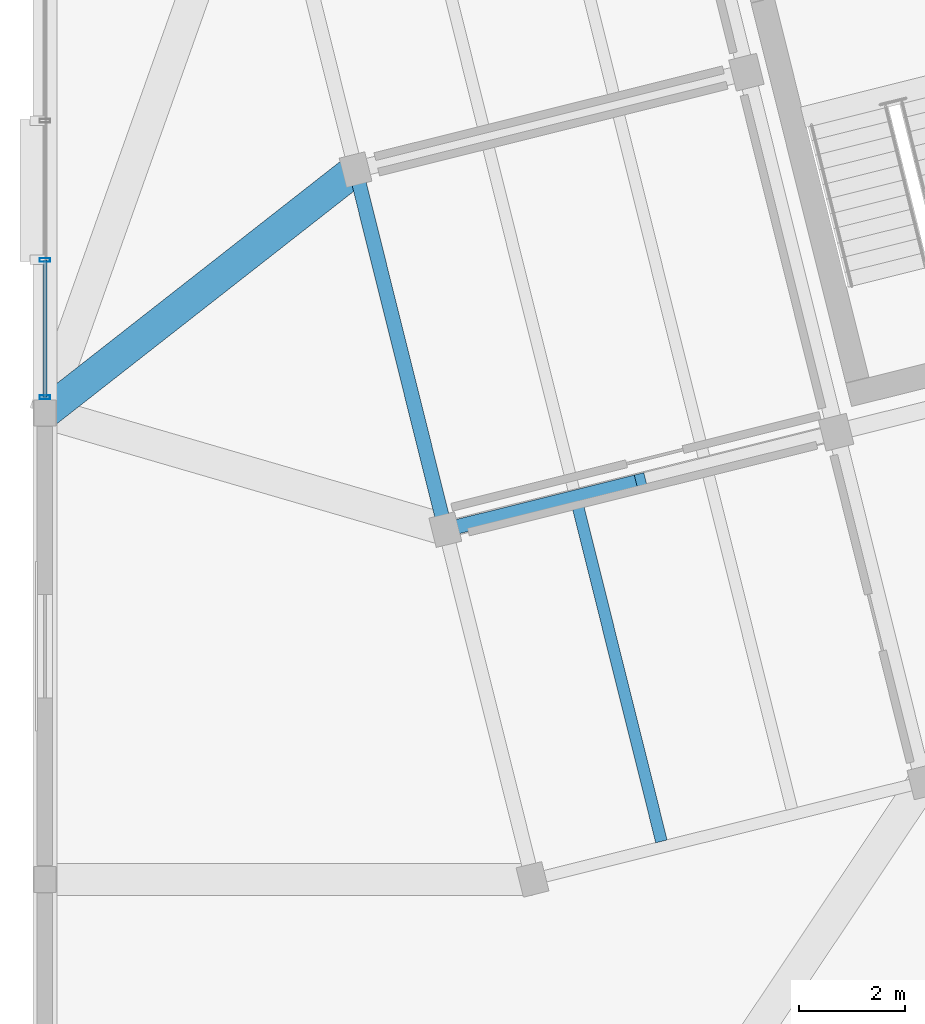
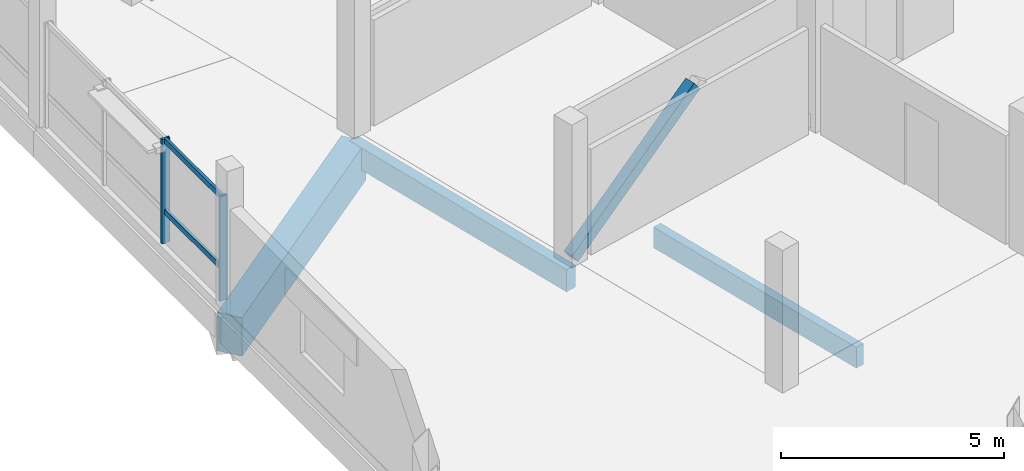
# One storey, part 18 of 62: 5 members, 3 beams, 1 element without a shape of its own.
"""IFC4 building model written with IfcOpenShell, lengths in metres."""

from ifc_helpers import new_model, si_unit, direction, frame, origin, origin_2d, place, context, subcontext, project, spatial, rectangle, hollow_rectangle, extrude, material, layer, layer_set, material_profile, profile_set, type_object, element, aggregate, save


model = new_model("IFC4")

# Units and contexts
model_context = context("Model", 3, precision=1e-05, world=origin(), true_north=direction((0.0, 1.0)))
body_context = subcontext(model_context, "Body", "Model", "MODEL_VIEW")
ifc_project = project(units=[si_unit("LENGTHUNIT", "METRE"), si_unit("AREAUNIT", "SQUARE_METRE"), si_unit("VOLUMEUNIT", "CUBIC_METRE"), si_unit("PLANEANGLEUNIT", "RADIAN"), si_unit("MASSUNIT", "GRAM", prefix="KILO")], contexts=[model_context])

# Site, building, storey
site_placement = place(None, origin())
site = spatial("IfcSite", under=ifc_project, at=site_placement, CompositionType="ELEMENT")
building_placement = place(site_placement, origin())
building = spatial("IfcBuilding", under=site, at=building_placement, Name="Meriwether Solvik Hall", CompositionType="ELEMENT")
storey_placement = place(building_placement, frame((0.0, 0.0, 14.39990234375)))
storey = spatial("IfcBuildingStorey", under=building, at=storey_placement, Name="L03", CompositionType="ELEMENT", Elevation=14.39990234375)

# Beams
ifc_material_1 = material(Name="Glulam Douglas-Fir 24F-V8 GL28h", Category="wood")
ifc_material_profile_1 = material_profile(ifc_material_1, rectangle(XDim=0.27294921875, YDim=0.610107421875, at=origin_2d()), Name="GLB-273X610")
ifc_profile_set_1 = profile_set([ifc_material_profile_1], Name="Glulam Douglas-Fir 24F-V8 GL28h")
beam_type_1 = type_object("IfcBeamType", Name="BM-GL-273X610", PredefinedType="SPANDREL", material=ifc_profile_set_1)
beam_1_placement = place(storey_placement, frame((66.954833984375, 47.798095703125, -0.5498046875), z_axis=(-0.241911879182, 0.970298223594, 0.0), x_axis=(-0.970298223594, -0.241911879182, 0.0)))
element("IfcBeam", 1, at=beam_1_placement, inside=storey, type_object=beam_type_1, Name="Tower Girder T1:TB-TC (L03)", PredefinedType="SPANDREL", context=body_context, shape_type="SweptSolid", body=[
    extrude(rectangle(XDim=0.27294921875, YDim=0.610107421875, at=origin_2d()), origin(), (0.0, 0.0, 1.0), 7.0),
])
ifc_material_2 = material(Name="Concrete C40/50", Category="concrete")
ifc_material_profile_2 = material_profile(ifc_material_2, rectangle(XDim=0.60009765625, YDim=1.050048828125, at=origin_2d()), Name="RCB-600X1050")
ifc_profile_set_2 = profile_set([ifc_material_profile_2], Name="Concrete C40/50")
beam_type_2 = type_object("IfcBeamType", Name="BM-RC-600X1050", PredefinedType="BEAM", material=ifc_profile_set_2)
beam_2_placement = place(storey_placement, frame((65.261474609375, 54.590087890625, -0.77001953125), z_axis=(-0.787324356442, -0.616539015597, 0.0), x_axis=(0.616539015597, -0.787324356442, 0.0)))
element("IfcBeam", 2, at=beam_2_placement, inside=storey, type_object=beam_type_2, Name="Diaphragm Collector Girder T1/TC-7/F (L03)", PredefinedType="BEAM", context=body_context, shape_type="SweptSolid", body=[
    extrude(rectangle(XDim=0.60009765625, YDim=1.050048828125, at=origin_2d()), origin(), (0.0, 0.0, 1.0), 7.44482421875),
])

# Curtain wall, members
ifc_material_3 = material(Name="Thermally Broken Anodised Aluminium 6063-T6 and Low-E Glass", Category="aluminium")
ifc_layer = layer(ifc_material_3, 0.179931640625)
ifc_layer_set = layer_set([ifc_layer], Name="Thermally Broken Anodised Aluminium 6063-T6 and Low-E Glass")
curtain_wall_type = type_object("IfcCurtainWallType", Name="CW-UNIT-E", PredefinedType="USERDEFINED", material=ifc_layer_set)
curtain_wall_placement = place(storey_placement, origin())
curtain_wall = element("IfcCurtainWall", 3, at=curtain_wall_placement, inside=storey, type_object=curtain_wall_type, Name="Curtain Wall wing_Y7_6_29 (L03)", ObjectType="UNITISED CURTAIN WALL", PredefinedType="USERDEFINED")
ifc_material_4 = material(Name="Anodised Aluminium 6063-T6", Category="aluminium")
ifc_material_profile_3 = material_profile(ifc_material_4, hollow_rectangle(XDim=0.070068359375, YDim=0.199951171875, WallThickness=0.0048828125, at=origin_2d()), Name="CWM-70X200")
ifc_profile_set_3 = profile_set([ifc_material_profile_3], Name="Anodised Aluminium 6063-T6")
member_type_1 = type_object("IfcMemberType", Name="CW-MUL-70X200", PredefinedType="MULLION", material=ifc_profile_set_3)
member_1_placement = place(storey_placement, frame((59.39990234375, 50.297607421875, 0.0), z_axis=(0.0, 0.0, 1.0), x_axis=(0.0, 1.0, 0.0)))
member_1 = element("IfcMember", 4, at=member_1_placement, type_object=member_type_1, Name="Curtain Wall Mullion 1", PredefinedType="MULLION", context=body_context, shape_type="SweptSolid", body=[
    extrude(hollow_rectangle(XDim=0.070068359375, YDim=0.199951171875, WallThickness=0.0048828125, at=origin_2d()), origin(), (0.0, 0.0, 1.0), 2.85498046875),
])
member_2_placement = place(storey_placement, frame((59.39990234375, 52.886474609375, 0.0), z_axis=(0.0, 0.0, 1.0), x_axis=(0.0, 1.0, 0.0)))
member_2 = element("IfcMember", 5, at=member_2_placement, type_object=member_type_1, Name="Curtain Wall Mullion 2", PredefinedType="MULLION", context=body_context, shape_type="SweptSolid", body=[
    extrude(hollow_rectangle(XDim=0.070068359375, YDim=0.199951171875, WallThickness=0.0048828125, at=origin_2d()), origin(), (0.0, 0.0, 1.0), 2.85498046875),
])
ifc_material_5 = material(Name="Anodised Aluminium 6063-T6", Category="aluminium")
ifc_material_profile_4 = material_profile(ifc_material_5, hollow_rectangle(XDim=0.070068359375, YDim=0.14990234375, WallThickness=0.0048828125, at=origin_2d()), Name="CWT-70X150")
ifc_profile_set_4 = profile_set([ifc_material_profile_4], Name="Anodised Aluminium 6063-T6")
member_type_2 = type_object("IfcMemberType", Name="CW-TRN-70X150", PredefinedType="USERDEFINED", material=ifc_profile_set_4)
member_3_placement = place(storey_placement, frame((59.39990234375, 50.297607421875, 0.856689453125), z_axis=(0.0, 1.0, 0.0), x_axis=(-1.0, 0.0, 0.0)))
member_3 = element("IfcMember", 6, at=member_3_placement, type_object=member_type_2, Name="Curtain Wall Transom 1-sill", ObjectType="TRANSOM", PredefinedType="USERDEFINED", context=body_context, shape_type="SweptSolid", body=[
    extrude(hollow_rectangle(XDim=0.070068359375, YDim=0.14990234375, WallThickness=0.0048828125, at=origin_2d()), origin(), (0.0, 0.0, 1.0), 2.5888671875),
])
member_4_placement = place(storey_placement, frame((59.39990234375, 50.297607421875, 2.795166015625), z_axis=(0.0, 1.0, 0.0), x_axis=(-1.0, 0.0, 0.0)))
member_4 = element("IfcMember", 7, at=member_4_placement, type_object=member_type_2, Name="Curtain Wall Transom 1-head", ObjectType="TRANSOM", PredefinedType="USERDEFINED", context=body_context, shape_type="SweptSolid", body=[
    extrude(hollow_rectangle(XDim=0.070068359375, YDim=0.14990234375, WallThickness=0.0048828125, at=origin_2d()), origin(), (0.0, 0.0, 1.0), 2.5888671875),
])
aggregate(curtain_wall, [member_1, member_2, member_3, member_4])

# Beam
ifc_material_6 = material(Name="Glulam Douglas-Fir 24F-V8 GL28h", Category="wood")
ifc_material_profile_5 = material_profile(ifc_material_6, rectangle(XDim=0.221923828125, YDim=0.570068359375, at=origin_2d()), Name="GLJ-222X570")
ifc_profile_set_5 = profile_set([ifc_material_profile_5], Name="Glulam Douglas-Fir 24F-V8 GL28h")
beam_type_3 = type_object("IfcBeamType", Name="JST-GL-222X570", PredefinedType="JOIST", material=ifc_profile_set_5)
beam_3_placement = place(storey_placement, frame((71.032470703125, 41.915771484375, -0.52978515625), z_axis=(-0.241920861923, 0.970295984, 0.0), x_axis=(-0.970295984, -0.241920861923, 0.0)))
element("IfcBeam", 8, at=beam_3_placement, inside=storey, type_object=beam_type_3, Name="Glulam Floor Joist T1/TA-J1 (L03)", PredefinedType="JOIST", context=body_context, shape_type="SweptSolid", body=[
    extrude(rectangle(XDim=0.221923828125, YDim=0.570068359375, at=origin_2d()), origin(), (0.0, 0.0, 1.0), 6.54150390625),
])

# Member
ifc_material_7 = material(Name="Glulam Douglas-Fir 24F-V8 GL28h", Category="wood")
ifc_material_profile_6 = material_profile(ifc_material_7, rectangle(XDim=0.27294921875, YDim=0.304931640625, at=origin_2d()), Name="GLM-273X305")
ifc_profile_set_6 = profile_set([ifc_material_profile_6], Name="Glulam Douglas-Fir 24F-V8 GL28h")
member_type_3 = type_object("IfcMemberType", Name="MEM-BR-GL273", PredefinedType="BRACE", material=ifc_profile_set_6)
member_5_placement = place(storey_placement, frame((66.954833984375, 47.798095703125, 0.050048828125), z_axis=(0.772820339626, 0.192655007528, 0.604675756695), x_axis=(-0.241885553952, 0.970304786544, 0.0)))
element("IfcMember", 9, at=member_5_placement, inside=storey, type_object=member_type_3, Name="Tower Chevron Brace L03-B1A", PredefinedType="BRACE", context=body_context, shape_type="SweptSolid", body=[
    extrude(rectangle(XDim=0.27294921875, YDim=0.304931640625, at=origin_2d()), origin(), (0.0, 0.0, 1.0), 4.771240234375),
])

save(model, "model.ifc")
